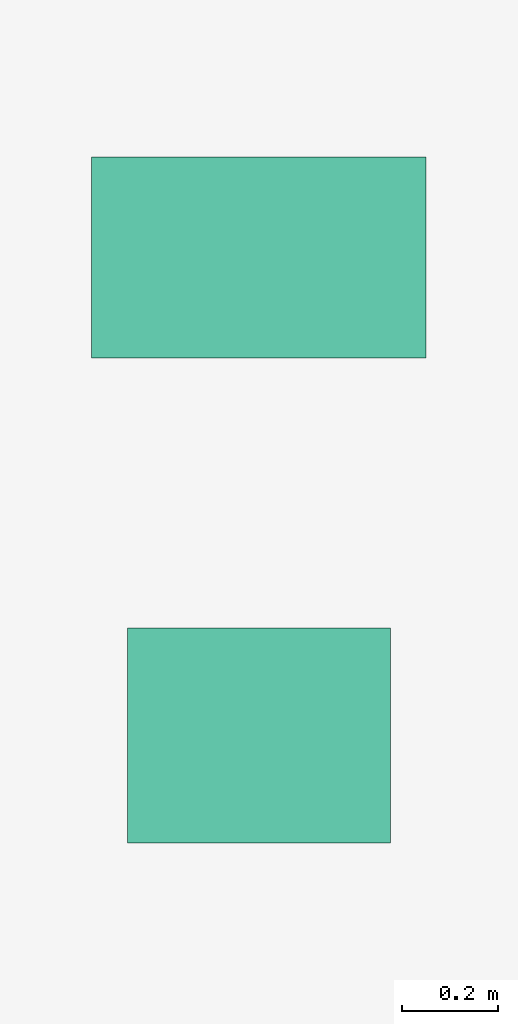
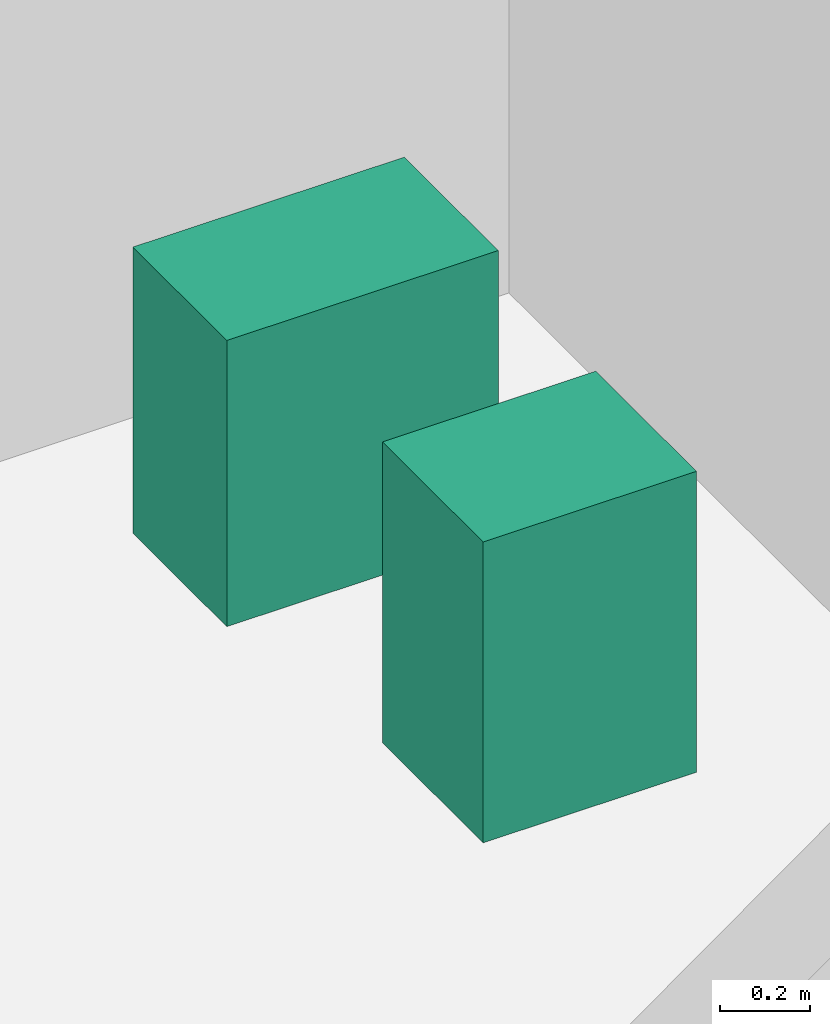
# One storey, part 33 of 33: 2 sanitary terminals.
"""IFC4 building model written with IfcOpenShell, lengths in metres."""

from ifc_helpers import new_model, si_unit, direction, frame, origin, origin_2d, place, context, subcontext, project, spatial, rectangle, extrude, source, transform, mapped, material, type_object, element, save


model = new_model("IFC4")

# Units and contexts
model_context = context("Model", 3, precision=1e-05, world=origin(), true_north=direction((0.0, 1.0)))
body_context = subcontext(model_context, "Body", "Model", "MODEL_VIEW")
ifc_project = project(units=[si_unit("LENGTHUNIT", "METRE"), si_unit("AREAUNIT", "SQUARE_METRE"), si_unit("VOLUMEUNIT", "CUBIC_METRE"), si_unit("PLANEANGLEUNIT", "RADIAN"), si_unit("MASSUNIT", "GRAM", prefix="KILO")], contexts=[model_context])

# Site, building, storey
site_placement = place(None, origin())
site = spatial("IfcSite", under=ifc_project, at=site_placement, CompositionType="ELEMENT")
building_placement = place(site_placement, origin())
building = spatial("IfcBuilding", under=site, at=building_placement, Name="Sumidabori Civic Tower", CompositionType="ELEMENT")
storey_placement = place(building_placement, frame((0.0, 0.0, 27.199951171875)))
storey = spatial("IfcBuildingStorey", under=building, at=storey_placement, Name="L06", CompositionType="ELEMENT", Elevation=27.199951171875)

# Sanitary terminals
ifc_material = material(Name="Vitreous Sanitary Porcelain")
sanitary_terminal_type_1 = type_object("IfcSanitaryTerminalType", Name="SN-WC-1", PredefinedType="TOILETPAN", material=ifc_material)
shared_shape_1 = source(origin(), body_context, "Body", "SweptSolid", [
    extrude(rectangle(XDim=0.699951171875, YDim=0.419921875, at=origin_2d()), origin(), (0.0, 0.0, 1.0), 0.780029296875),
])
sanitary_terminal_1_placement = place(storey_placement, frame((10.800048828125, 21.85009765625, 0.0), z_axis=(0.0, 0.0, 1.0), x_axis=(1.0, 0.0, 0.0)))
element("IfcSanitaryTerminal", 1, at=sanitary_terminal_1_placement, inside=storey, type_object=sanitary_terminal_type_1, Name="Accessible WC Pan L06", PredefinedType="TOILETPAN", context=body_context, shape_type="MappedRepresentation", body=[
    mapped(shared_shape_1, transform((0.0, 0.0, 0.0), x_axis=(1.0, 0.0, 0.0), y_axis=(0.0, 1.0, 0.0), z_axis=(0.0, 0.0, 1.0), scale=1.0)),
])
sanitary_terminal_type_2 = type_object("IfcSanitaryTerminalType", Name="SN-BAS-1", PredefinedType="WASHHANDBASIN", material=ifc_material)
shared_shape_2 = source(origin(), body_context, "Body", "SweptSolid", [
    extrude(rectangle(XDim=0.550048828125, YDim=0.449951171875, at=origin_2d()), origin(), (0.0, 0.0, 1.0), 0.820068359375),
])
sanitary_terminal_2_placement = place(storey_placement, frame((10.800048828125, 20.85009765625, 0.0), z_axis=(0.0, 0.0, 1.0), x_axis=(1.0, 0.0, 0.0)))
element("IfcSanitaryTerminal", 2, at=sanitary_terminal_2_placement, inside=storey, type_object=sanitary_terminal_type_2, Name="Accessible Basin L06", PredefinedType="WASHHANDBASIN", context=body_context, shape_type="MappedRepresentation", body=[
    mapped(shared_shape_2, transform((0.0, 0.0, 0.0), x_axis=(1.0, 0.0, 0.0), y_axis=(0.0, 1.0, 0.0), z_axis=(0.0, 0.0, 1.0), scale=1.0)),
])

save(model, "model.ifc")
